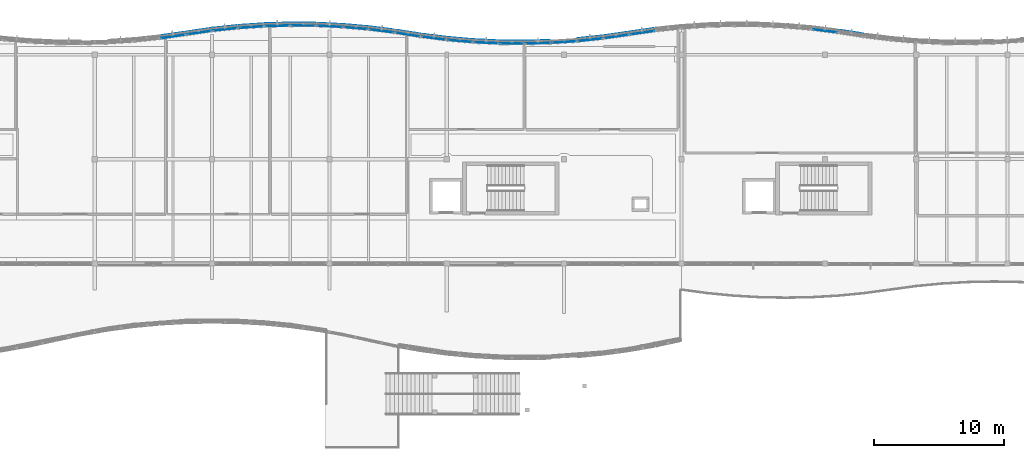
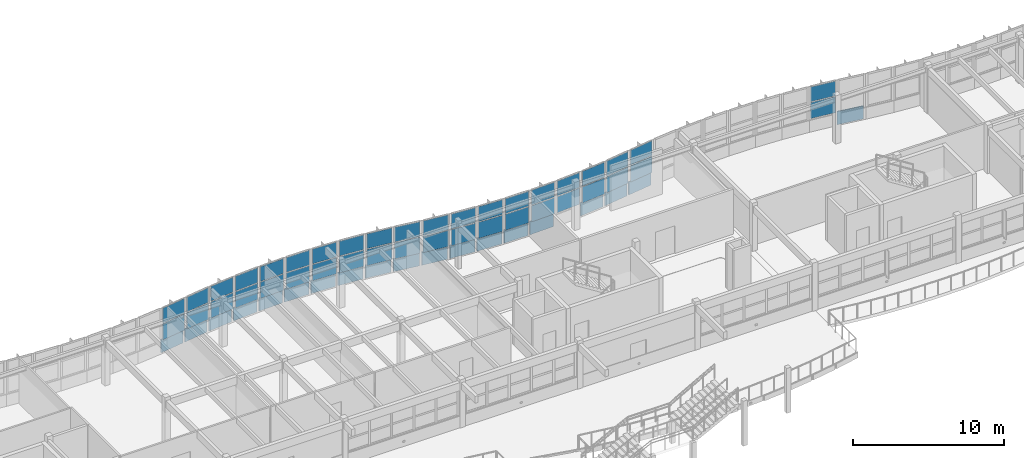
# One storey, part 25 of 52: 59 plates, 20 elements without a shape of their own.
"""IFC4 building model written with IfcOpenShell, lengths in metres."""

from ifc_helpers import new_model, si_unit, direction, frame, origin, origin_2d, place, context, subcontext, project, spatial, rectangle, extrude, material, layer, layer_set, type_object, element, aggregate, save


model = new_model("IFC4")

# Units and contexts
model_context = context("Model", 3, precision=1e-05, world=origin(), true_north=direction((0.0, 1.0)))
body_context = subcontext(model_context, "Body", "Model", "MODEL_VIEW")
ifc_project = project(units=[si_unit("LENGTHUNIT", "METRE"), si_unit("AREAUNIT", "SQUARE_METRE"), si_unit("VOLUMEUNIT", "CUBIC_METRE"), si_unit("PLANEANGLEUNIT", "RADIAN"), si_unit("MASSUNIT", "GRAM", prefix="KILO")], contexts=[model_context])

# Site, building, storey
site_placement = place(None, origin())
site = spatial("IfcSite", under=ifc_project, at=site_placement, CompositionType="ELEMENT")
building_placement = place(site_placement, origin())
building = spatial("IfcBuilding", under=site, at=building_placement, Name="Tonlespit Floodbar School", CompositionType="ELEMENT")
storey_placement = place(building_placement, frame((0.0, 0.0, 12.300048828125)))
storey = spatial("IfcBuildingStorey", under=building, at=storey_placement, Name="L03", CompositionType="ELEMENT", Elevation=12.300048828125)

# Curtain wall, plates
ifc_material_1 = material(Name="Anodised Aluminium", Category="aluminium")
ifc_layer_1 = layer(ifc_material_1, 0.159912109375)
ifc_layer_set_1 = layer_set([ifc_layer_1], Name="Anodised Aluminium")
curtain_wall_type_1 = type_object("IfcCurtainWallType", Name="CurtainWall_1950x2700", PredefinedType="NOTDEFINED", material=ifc_layer_set_1)
curtain_wall_1_placement = place(storey_placement, origin())
curtain_wall_1 = element("IfcCurtainWall", 1, at=curtain_wall_1_placement, inside=storey, type_object=curtain_wall_type_1, Name="L03 unitised curtain wall 0141", PredefinedType="NOTDEFINED")
ifc_material_2 = material(Name="Laminated Low-E Glass", Category="glass")
ifc_layer_2 = layer(ifc_material_2, 0.028076171875)
ifc_layer_set_2 = layer_set([ifc_layer_2], Name="Laminated Low-E Glass")
plate_type_1 = type_object("IfcPlateType", Name="CW_Panel_Glaz_28", PredefinedType="CURTAIN_PANEL", material=ifc_layer_set_2)
plate_1_placement = place(storey_placement, frame((79.0, 121.69580078125, 1.01513671875), z_axis=(0.0, 0.0, 1.0), x_axis=(0.989541561858, 0.144248041079, 0.0)))
plate_1 = element("IfcPlate", 2, at=plate_1_placement, type_object=plate_type_1, Name="CW-04 panel 1.1", PredefinedType="CURTAIN_PANEL", context=body_context, shape_type="SweptSolid", body=[
    extrude(rectangle(XDim=1.81103515625, YDim=0.028076171875, at=origin_2d()), origin(), (0.0, 0.0, 1.0), 1.306396484375),
])
plate_2_placement = place(storey_placement, frame((79.0, 121.69580078125, 2.38623046875), z_axis=(0.0, 0.0, 1.0), x_axis=(0.989541561858, 0.144248041079, 0.0)))
plate_2 = element("IfcPlate", 3, at=plate_2_placement, type_object=plate_type_1, Name="CW-04 panel 1.2", PredefinedType="CURTAIN_PANEL", context=body_context, shape_type="SweptSolid", body=[
    extrude(rectangle(XDim=1.81103515625, YDim=0.028076171875, at=origin_2d()), origin(), (0.0, 0.0, 1.0), 1.198486328125),
])
aggregate(curtain_wall_1, [plate_1, plate_2])

ifc_layer_3 = layer(ifc_material_1, 0.159912109375)
ifc_layer_set_3 = layer_set([ifc_layer_3], Name="Anodised Aluminium")
curtain_wall_type_2 = type_object("IfcCurtainWallType", Name="CurtainWall_1900x2700", PredefinedType="NOTDEFINED", material=ifc_layer_set_3)
curtain_wall_2_placement = place(storey_placement, origin())
curtain_wall_2 = element("IfcCurtainWall", 4, at=curtain_wall_2_placement, inside=storey, type_object=curtain_wall_type_2, Name="L03 unitised curtain wall 0145", PredefinedType="NOTDEFINED")
plate_3_placement = place(storey_placement, frame((87.0, 122.2373046875, 1.01513671875), z_axis=(0.0, 0.0, 1.0), x_axis=(0.999954083024, -0.009582893292, 0.0)))
plate_3 = element("IfcPlate", 5, at=plate_3_placement, type_object=plate_type_1, Name="CW-05 panel 1.1", PredefinedType="CURTAIN_PANEL", context=body_context, shape_type="SweptSolid", body=[
    extrude(rectangle(XDim=1.7900390625, YDim=0.028076171875, at=origin_2d()), origin(), (0.0, 0.0, 1.0), 1.306396484375),
])
plate_4_placement = place(storey_placement, frame((87.0, 122.2373046875, 2.38623046875), z_axis=(0.0, 0.0, 1.0), x_axis=(0.999954083024, -0.009582893292, 0.0)))
plate_4 = element("IfcPlate", 6, at=plate_4_placement, type_object=plate_type_1, Name="CW-05 panel 1.2", PredefinedType="CURTAIN_PANEL", context=body_context, shape_type="SweptSolid", body=[
    extrude(rectangle(XDim=1.7900390625, YDim=0.028076171875, at=origin_2d()), origin(), (0.0, 0.0, 1.0), 1.198486328125),
])
aggregate(curtain_wall_2, [plate_3, plate_4])

curtain_wall_3_placement = place(storey_placement, origin())
curtain_wall_3 = element("IfcCurtainWall", 7, at=curtain_wall_3_placement, inside=storey, type_object=curtain_wall_type_1, Name="L03 unitised curtain wall 0149", PredefinedType="NOTDEFINED")
plate_5_placement = place(storey_placement, frame((95.0, 121.550048828125, 1.01513671875), z_axis=(0.0, 0.0, 1.0), x_axis=(0.988102576465, -0.153796288585, 0.0)))
plate_5 = element("IfcPlate", 8, at=plate_5_placement, type_object=plate_type_1, Name="CW-04 panel 1.1", PredefinedType="CURTAIN_PANEL", context=body_context, shape_type="SweptSolid", body=[
    extrude(rectangle(XDim=1.814208984375, YDim=0.028076171875, at=origin_2d()), origin(), (0.0, 0.0, 1.0), 1.306396484375),
])
plate_6_placement = place(storey_placement, frame((95.0, 121.550048828125, 2.38623046875), z_axis=(0.0, 0.0, 1.0), x_axis=(0.988102576465, -0.153796288585, 0.0)))
plate_6 = element("IfcPlate", 9, at=plate_6_placement, type_object=plate_type_1, Name="CW-04 panel 1.2", PredefinedType="CURTAIN_PANEL", context=body_context, shape_type="SweptSolid", body=[
    extrude(rectangle(XDim=1.814208984375, YDim=0.028076171875, at=origin_2d()), origin(), (0.0, 0.0, 1.0), 1.198486328125),
])
aggregate(curtain_wall_3, [plate_5, plate_6])

curtain_wall_4_placement = place(storey_placement, origin())
curtain_wall_4 = element("IfcCurtainWall", 10, at=curtain_wall_4_placement, inside=storey, type_object=curtain_wall_type_2, Name="L03 unitised curtain wall 0153", PredefinedType="NOTDEFINED")
plate_7_placement = place(storey_placement, frame((103.0, 120.862548828125, 1.01513671875), z_axis=(0.0, 0.0, 1.0), x_axis=(0.999954083024, -0.009582893292, 0.0)))
plate_7 = element("IfcPlate", 11, at=plate_7_placement, type_object=plate_type_1, Name="CW-05 panel 1.1", PredefinedType="CURTAIN_PANEL", context=body_context, shape_type="SweptSolid", body=[
    extrude(rectangle(XDim=1.7900390625, YDim=0.028076171875, at=origin_2d()), origin(), (0.0, 0.0, 1.0), 1.306396484375),
])
plate_8_placement = place(storey_placement, frame((103.0, 120.862548828125, 2.38623046875), z_axis=(0.0, 0.0, 1.0), x_axis=(0.999954083024, -0.009582893292, 0.0)))
plate_8 = element("IfcPlate", 12, at=plate_8_placement, type_object=plate_type_1, Name="CW-05 panel 1.2", PredefinedType="CURTAIN_PANEL", context=body_context, shape_type="SweptSolid", body=[
    extrude(rectangle(XDim=1.7900390625, YDim=0.028076171875, at=origin_2d()), origin(), (0.0, 0.0, 1.0), 1.198486328125),
])
aggregate(curtain_wall_4, [plate_7, plate_8])

curtain_wall_5_placement = place(storey_placement, origin())
curtain_wall_5 = element("IfcCurtainWall", 13, at=curtain_wall_5_placement, inside=storey, type_object=curtain_wall_type_1, Name="L03 unitised curtain wall 0157", PredefinedType="NOTDEFINED")
plate_9_placement = place(storey_placement, frame((111.0, 121.404296875, 1.01513671875), z_axis=(0.0, 0.0, 1.0), x_axis=(0.989541561858, 0.144248041079, 0.0)))
plate_9 = element("IfcPlate", 14, at=plate_9_placement, type_object=plate_type_1, Name="CW-04 panel 1.1", PredefinedType="CURTAIN_PANEL", context=body_context, shape_type="SweptSolid", body=[
    extrude(rectangle(XDim=1.81103515625, YDim=0.028076171875, at=origin_2d()), origin(), (0.0, 0.0, 1.0), 1.306396484375),
])
plate_10_placement = place(storey_placement, frame((111.0, 121.404296875, 2.38623046875), z_axis=(0.0, 0.0, 1.0), x_axis=(0.989541561858, 0.144248041079, 0.0)))
plate_10 = element("IfcPlate", 15, at=plate_10_placement, type_object=plate_type_1, Name="CW-04 panel 1.2", PredefinedType="CURTAIN_PANEL", context=body_context, shape_type="SweptSolid", body=[
    extrude(rectangle(XDim=1.81103515625, YDim=0.028076171875, at=origin_2d()), origin(), (0.0, 0.0, 1.0), 1.198486328125),
])
aggregate(curtain_wall_5, [plate_9, plate_10])

curtain_wall_6_placement = place(storey_placement, origin())
curtain_wall_6 = element("IfcCurtainWall", 16, at=curtain_wall_6_placement, inside=storey, type_object=curtain_wall_type_1, Name="L03 unitised curtain wall 0142", PredefinedType="NOTDEFINED")
ifc_layer_4 = layer(ifc_material_2, 0.031982421875)
ifc_layer_set_4 = layer_set([ifc_layer_4], Name="Laminated Low-E Glass")
plate_type_2 = type_object("IfcPlateType", Name="CW_Panel_Glaz_32", PredefinedType="CURTAIN_PANEL", material=ifc_layer_set_4)
plate_11_placement = place(storey_placement, frame((81.0, 121.947998046875, 1.01513671875), z_axis=(0.0, 0.0, 1.0), x_axis=(0.994388797288, 0.105787143968, 0.0)))
plate_11 = element("IfcPlate", 17, at=plate_11_placement, type_object=plate_type_2, Name="CW-04 panel 1.1", PredefinedType="CURTAIN_PANEL", context=body_context, shape_type="SweptSolid", body=[
    extrude(rectangle(XDim=1.80126953125, YDim=0.031982421875, at=origin_2d()), origin(), (0.0, 0.0, 1.0), 1.306396484375),
])
plate_12_placement = place(storey_placement, frame((81.0, 121.947998046875, 2.38623046875), z_axis=(0.0, 0.0, 1.0), x_axis=(0.994388797288, 0.105787143968, 0.0)))
plate_12 = element("IfcPlate", 18, at=plate_12_placement, type_object=plate_type_2, Name="CW-04 panel 1.2", PredefinedType="CURTAIN_PANEL", context=body_context, shape_type="SweptSolid", body=[
    extrude(rectangle(XDim=1.80126953125, YDim=0.031982421875, at=origin_2d()), origin(), (0.0, 0.0, 1.0), 1.198486328125),
])
aggregate(curtain_wall_6, [plate_11, plate_12])

curtain_wall_7_placement = place(storey_placement, origin())
curtain_wall_7 = element("IfcCurtainWall", 19, at=curtain_wall_7_placement, inside=storey, type_object=curtain_wall_type_2, Name="L03 unitised curtain wall 0146", PredefinedType="NOTDEFINED")
plate_13_placement = place(storey_placement, frame((89.0, 122.1796875, 1.01513671875), z_axis=(0.0, 0.0, 1.0), x_axis=(0.998841500616, -0.048121270216, 0.0)))
plate_13 = element("IfcPlate", 20, at=plate_13_placement, type_object=plate_type_2, Name="CW-05 panel 1.1", PredefinedType="CURTAIN_PANEL", context=body_context, shape_type="SweptSolid", body=[
    extrude(rectangle(XDim=1.792236328125, YDim=0.031982421875, at=origin_2d()), origin(), (0.0, 0.0, 1.0), 1.306396484375),
])
plate_14_placement = place(storey_placement, frame((89.0, 122.1796875, 2.38623046875), z_axis=(0.0, 0.0, 1.0), x_axis=(0.998841500616, -0.048121270216, 0.0)))
plate_14 = element("IfcPlate", 21, at=plate_14_placement, type_object=plate_type_2, Name="CW-05 panel 1.2", PredefinedType="CURTAIN_PANEL", context=body_context, shape_type="SweptSolid", body=[
    extrude(rectangle(XDim=1.792236328125, YDim=0.031982421875, at=origin_2d()), origin(), (0.0, 0.0, 1.0), 1.198486328125),
])
aggregate(curtain_wall_7, [plate_13, plate_14])

curtain_wall_8_placement = place(storey_placement, origin())
curtain_wall_8 = element("IfcCurtainWall", 22, at=curtain_wall_8_placement, inside=storey, type_object=curtain_wall_type_1, Name="L03 unitised curtain wall 0150", PredefinedType="NOTDEFINED")
plate_15_placement = place(storey_placement, frame((97.0, 121.268310546875, 1.01513671875), z_axis=(0.0, 0.0, 1.0), x_axis=(0.992155002499, -0.125013803299, 0.0)))
plate_15 = element("IfcPlate", 23, at=plate_15_placement, type_object=plate_type_2, Name="CW-04 panel 1.1", PredefinedType="CURTAIN_PANEL", context=body_context, shape_type="SweptSolid", body=[
    extrude(rectangle(XDim=1.805908203125, YDim=0.031982421875, at=origin_2d()), origin(), (0.0, 0.0, 1.0), 1.306396484375),
])
plate_16_placement = place(storey_placement, frame((97.0, 121.268310546875, 2.38623046875), z_axis=(0.0, 0.0, 1.0), x_axis=(0.992155002499, -0.125013803299, 0.0)))
plate_16 = element("IfcPlate", 24, at=plate_16_placement, type_object=plate_type_2, Name="CW-04 panel 1.2", PredefinedType="CURTAIN_PANEL", context=body_context, shape_type="SweptSolid", body=[
    extrude(rectangle(XDim=1.805908203125, YDim=0.031982421875, at=origin_2d()), origin(), (0.0, 0.0, 1.0), 1.198486328125),
])
aggregate(curtain_wall_8, [plate_15, plate_16])

curtain_wall_9_placement = place(storey_placement, origin())
curtain_wall_9 = element("IfcCurtainWall", 25, at=curtain_wall_9_placement, inside=storey, type_object=curtain_wall_type_2, Name="L03 unitised curtain wall 0154", PredefinedType="NOTDEFINED")
plate_17_placement = place(storey_placement, frame((105.0, 120.8818359375, 1.01513671875), z_axis=(0.0, 0.0, 1.0), x_axis=(0.999585477883, 0.028790144226, 0.0)))
plate_17 = element("IfcPlate", 26, at=plate_17_placement, type_object=plate_type_2, Name="CW-05 panel 1.1", PredefinedType="CURTAIN_PANEL", context=body_context, shape_type="SweptSolid", body=[
    extrude(rectangle(XDim=1.790771484375, YDim=0.031982421875, at=origin_2d()), origin(), (0.0, 0.0, 1.0), 1.306396484375),
])
plate_18_placement = place(storey_placement, frame((105.0, 120.8818359375, 2.38623046875), z_axis=(0.0, 0.0, 1.0), x_axis=(0.999585477883, 0.028790144226, 0.0)))
plate_18 = element("IfcPlate", 27, at=plate_18_placement, type_object=plate_type_2, Name="CW-05 panel 1.2", PredefinedType="CURTAIN_PANEL", context=body_context, shape_type="SweptSolid", body=[
    extrude(rectangle(XDim=1.790771484375, YDim=0.031982421875, at=origin_2d()), origin(), (0.0, 0.0, 1.0), 1.198486328125),
])
aggregate(curtain_wall_9, [plate_17, plate_18])

curtain_wall_10_placement = place(storey_placement, origin())
curtain_wall_10 = element("IfcCurtainWall", 28, at=curtain_wall_10_placement, inside=storey, type_object=curtain_wall_type_1, Name="L03 unitised curtain wall 0158", PredefinedType="NOTDEFINED")
plate_19_placement = place(storey_placement, frame((113.0, 121.69580078125, 1.01513671875), z_axis=(0.0, 0.0, 1.0), x_axis=(0.989541561858, 0.144248041079, 0.0)))
plate_19 = element("IfcPlate", 29, at=plate_19_placement, type_object=plate_type_2, Name="CW-04 panel 1.1", PredefinedType="CURTAIN_PANEL", context=body_context, shape_type="SweptSolid", body=[
    extrude(rectangle(XDim=1.81103515625, YDim=0.031982421875, at=origin_2d()), origin(), (0.0, 0.0, 1.0), 1.306396484375),
])
plate_20_placement = place(storey_placement, frame((113.0, 121.69580078125, 2.38623046875), z_axis=(0.0, 0.0, 1.0), x_axis=(0.989541561858, 0.144248041079, 0.0)))
plate_20 = element("IfcPlate", 30, at=plate_20_placement, type_object=plate_type_2, Name="CW-04 panel 1.2", PredefinedType="CURTAIN_PANEL", context=body_context, shape_type="SweptSolid", body=[
    extrude(rectangle(XDim=1.81103515625, YDim=0.031982421875, at=origin_2d()), origin(), (0.0, 0.0, 1.0), 1.198486328125),
])
aggregate(curtain_wall_10, [plate_19, plate_20])

curtain_wall_11_placement = place(storey_placement, origin())
curtain_wall_11 = element("IfcCurtainWall", 31, at=curtain_wall_11_placement, inside=storey, type_object=curtain_wall_type_2, Name="L03 unitised curtain wall 0143", PredefinedType="NOTDEFINED")
ifc_layer_5 = layer(ifc_material_2, 0.035888671875)
ifc_layer_set_5 = layer_set([ifc_layer_5], Name="Laminated Low-E Glass")
plate_type_3 = type_object("IfcPlateType", Name="CW_Panel_Glaz_36", PredefinedType="CURTAIN_PANEL", material=ifc_layer_set_5)
plate_21_placement = place(storey_placement, frame((83.0, 122.121826171875, 1.01513671875), z_axis=(0.0, 0.0, 1.0), x_axis=(0.99773010165, 0.067339767311, 0.0)))
plate_21 = element("IfcPlate", 32, at=plate_21_placement, type_object=plate_type_3, Name="CW-05 panel 1.1", PredefinedType="CURTAIN_PANEL", context=body_context, shape_type="SweptSolid", body=[
    extrude(rectangle(XDim=1.794677734375, YDim=0.035888671875, at=origin_2d()), origin(), (0.0, 0.0, 1.0), 1.306396484375),
])
plate_22_placement = place(storey_placement, frame((83.0, 122.121826171875, 2.38623046875), z_axis=(0.0, 0.0, 1.0), x_axis=(0.99773010165, 0.067339767311, 0.0)))
plate_22 = element("IfcPlate", 33, at=plate_22_placement, type_object=plate_type_3, Name="CW-05 panel 1.2", PredefinedType="CURTAIN_PANEL", context=body_context, shape_type="SweptSolid", body=[
    extrude(rectangle(XDim=1.794677734375, YDim=0.035888671875, at=origin_2d()), origin(), (0.0, 0.0, 1.0), 1.198486328125),
])
aggregate(curtain_wall_11, [plate_21, plate_22])

curtain_wall_12_placement = place(storey_placement, origin())
curtain_wall_12 = element("IfcCurtainWall", 34, at=curtain_wall_12_placement, inside=storey, type_object=curtain_wall_type_1, Name="L03 unitised curtain wall 0147", PredefinedType="NOTDEFINED")
plate_23_placement = place(storey_placement, frame((91.0, 122.044677734375, 1.01513671875), z_axis=(0.0, 0.0, 1.0), x_axis=(0.996249148412, -0.086531117454, 0.0)))
plate_23 = element("IfcPlate", 35, at=plate_23_placement, type_object=plate_type_3, Name="CW-04 panel 1.1", PredefinedType="CURTAIN_PANEL", context=body_context, shape_type="SweptSolid", body=[
    extrude(rectangle(XDim=1.797607421875, YDim=0.035888671875, at=origin_2d()), origin(), (0.0, 0.0, 1.0), 1.306396484375),
])
plate_24_placement = place(storey_placement, frame((91.0, 122.044677734375, 2.38623046875), z_axis=(0.0, 0.0, 1.0), x_axis=(0.996249148412, -0.086531117454, 0.0)))
plate_24 = element("IfcPlate", 36, at=plate_24_placement, type_object=plate_type_3, Name="CW-04 panel 1.2", PredefinedType="CURTAIN_PANEL", context=body_context, shape_type="SweptSolid", body=[
    extrude(rectangle(XDim=1.797607421875, YDim=0.035888671875, at=origin_2d()), origin(), (0.0, 0.0, 1.0), 1.198486328125),
])
aggregate(curtain_wall_12, [plate_23, plate_24])

curtain_wall_13_placement = place(storey_placement, origin())
curtain_wall_13 = element("IfcCurtainWall", 37, at=curtain_wall_13_placement, inside=storey, type_object=curtain_wall_type_1, Name="L03 unitised curtain wall 0151", PredefinedType="NOTDEFINED")
plate_25_placement = place(storey_placement, frame((99.0, 121.055419921875, 1.01513671875), z_axis=(0.0, 0.0, 1.0), x_axis=(0.996249148412, -0.086531117454, 0.0)))
plate_25 = element("IfcPlate", 38, at=plate_25_placement, type_object=plate_type_3, Name="CW-04 panel 1.1", PredefinedType="CURTAIN_PANEL", context=body_context, shape_type="SweptSolid", body=[
    extrude(rectangle(XDim=1.797607421875, YDim=0.035888671875, at=origin_2d()), origin(), (0.0, 0.0, 1.0), 1.306396484375),
])
plate_26_placement = place(storey_placement, frame((99.0, 121.055419921875, 2.38623046875), z_axis=(0.0, 0.0, 1.0), x_axis=(0.996249148412, -0.086531117454, 0.0)))
plate_26 = element("IfcPlate", 39, at=plate_26_placement, type_object=plate_type_3, Name="CW-04 panel 1.2", PredefinedType="CURTAIN_PANEL", context=body_context, shape_type="SweptSolid", body=[
    extrude(rectangle(XDim=1.797607421875, YDim=0.035888671875, at=origin_2d()), origin(), (0.0, 0.0, 1.0), 1.198486328125),
])
aggregate(curtain_wall_13, [plate_25, plate_26])

curtain_wall_14_placement = place(storey_placement, origin())
curtain_wall_14 = element("IfcCurtainWall", 40, at=curtain_wall_14_placement, inside=storey, type_object=curtain_wall_type_2, Name="L03 unitised curtain wall 0155", PredefinedType="NOTDEFINED")
plate_27_placement = place(storey_placement, frame((107.0, 120.978271484375, 1.01513671875), z_axis=(0.0, 0.0, 1.0), x_axis=(0.99773010165, 0.067339767311, 0.0)))
plate_27 = element("IfcPlate", 41, at=plate_27_placement, type_object=plate_type_3, Name="CW-05 panel 1.1", PredefinedType="CURTAIN_PANEL", context=body_context, shape_type="SweptSolid", body=[
    extrude(rectangle(XDim=1.794677734375, YDim=0.035888671875, at=origin_2d()), origin(), (0.0, 0.0, 1.0), 1.306396484375),
])
plate_28_placement = place(storey_placement, frame((107.0, 120.978271484375, 2.38623046875), z_axis=(0.0, 0.0, 1.0), x_axis=(0.99773010165, 0.067339767311, 0.0)))
plate_28 = element("IfcPlate", 42, at=plate_28_placement, type_object=plate_type_3, Name="CW-05 panel 1.2", PredefinedType="CURTAIN_PANEL", context=body_context, shape_type="SweptSolid", body=[
    extrude(rectangle(XDim=1.794677734375, YDim=0.035888671875, at=origin_2d()), origin(), (0.0, 0.0, 1.0), 1.198486328125),
])
aggregate(curtain_wall_14, [plate_27, plate_28])

curtain_wall_15_placement = place(storey_placement, origin())
curtain_wall_15 = element("IfcCurtainWall", 43, at=curtain_wall_15_placement, inside=storey, type_object=curtain_wall_type_1, Name="L03 unitised curtain wall 0451", PredefinedType="NOTDEFINED")
plate_29_placement = place(storey_placement, frame((127.0, 121.831787109375, 1.01513671875), z_axis=(0.0, 0.0, 1.0), x_axis=(0.992155002499, -0.125013803299, 0.0)))
plate_29 = element("IfcPlate", 44, at=plate_29_placement, type_object=plate_type_3, Name="CW-04 panel 1.1", PredefinedType="CURTAIN_PANEL", context=body_context, shape_type="SweptSolid", body=[
    extrude(rectangle(XDim=1.805908203125, YDim=0.035888671875, at=origin_2d()), origin(), (0.0, 0.0, 1.0), 1.306396484375),
])
plate_30_placement = place(storey_placement, frame((127.0, 121.831787109375, 2.38623046875), z_axis=(0.0, 0.0, 1.0), x_axis=(0.992155002499, -0.125013803299, 0.0)))
plate_30 = element("IfcPlate", 45, at=plate_30_placement, type_object=plate_type_3, Name="CW-04 panel 1.2", PredefinedType="CURTAIN_PANEL", context=body_context, shape_type="SweptSolid", body=[
    extrude(rectangle(XDim=1.805908203125, YDim=0.035888671875, at=origin_2d()), origin(), (0.0, 0.0, 1.0), 1.198486328125),
])
aggregate(curtain_wall_15, [plate_29, plate_30])

curtain_wall_16_placement = place(storey_placement, origin())
curtain_wall_16 = element("IfcCurtainWall", 46, at=curtain_wall_16_placement, inside=storey, type_object=curtain_wall_type_1, Name="L03 unitised curtain wall 0140", PredefinedType="NOTDEFINED")
ifc_layer_6 = layer(ifc_material_2, 0.0419921875)
ifc_layer_set_6 = layer_set([ifc_layer_6], Name="Laminated Low-E Glass")
plate_type_4 = type_object("IfcPlateType", Name="CW_Panel_Glaz_42", PredefinedType="CURTAIN_PANEL", material=ifc_layer_set_6)
plate_31_placement = place(storey_placement, frame((77.0, 121.404296875, 1.01513671875), z_axis=(0.0, 0.0, 1.0), x_axis=(0.989541561858, 0.144248041079, 0.0)))
plate_31 = element("IfcPlate", 47, at=plate_31_placement, type_object=plate_type_4, Name="CW-04 panel 1.1", PredefinedType="CURTAIN_PANEL", context=body_context, shape_type="SweptSolid", body=[
    extrude(rectangle(XDim=1.81103515625, YDim=0.0419921875, at=origin_2d()), origin(), (0.0, 0.0, 1.0), 1.306396484375),
])
plate_32_placement = place(storey_placement, frame((77.0, 121.404296875, 2.38623046875), z_axis=(0.0, 0.0, 1.0), x_axis=(0.989541561858, 0.144248041079, 0.0)))
plate_32 = element("IfcPlate", 48, at=plate_32_placement, type_object=plate_type_4, Name="CW-04 panel 1.2", PredefinedType="CURTAIN_PANEL", context=body_context, shape_type="SweptSolid", body=[
    extrude(rectangle(XDim=1.81103515625, YDim=0.0419921875, at=origin_2d()), origin(), (0.0, 0.0, 1.0), 1.198486328125),
])
aggregate(curtain_wall_16, [plate_31, plate_32])

curtain_wall_17_placement = place(storey_placement, origin())
curtain_wall_17 = element("IfcCurtainWall", 49, at=curtain_wall_17_placement, inside=storey, type_object=curtain_wall_type_2, Name="L03 unitised curtain wall 0144", PredefinedType="NOTDEFINED")
plate_33_placement = place(storey_placement, frame((85.0, 122.21826171875, 1.01513671875), z_axis=(0.0, 0.0, 1.0), x_axis=(0.999585477883, 0.028790144226, 0.0)))
plate_33 = element("IfcPlate", 50, at=plate_33_placement, type_object=plate_type_4, Name="CW-05 panel 1.1", PredefinedType="CURTAIN_PANEL", context=body_context, shape_type="SweptSolid", body=[
    extrude(rectangle(XDim=1.790771484375, YDim=0.0419921875, at=origin_2d()), origin(), (0.0, 0.0, 1.0), 1.306396484375),
])
plate_34_placement = place(storey_placement, frame((85.0, 122.21826171875, 2.38623046875), z_axis=(0.0, 0.0, 1.0), x_axis=(0.999585477883, 0.028790144226, 0.0)))
plate_34 = element("IfcPlate", 51, at=plate_34_placement, type_object=plate_type_4, Name="CW-05 panel 1.2", PredefinedType="CURTAIN_PANEL", context=body_context, shape_type="SweptSolid", body=[
    extrude(rectangle(XDim=1.790771484375, YDim=0.0419921875, at=origin_2d()), origin(), (0.0, 0.0, 1.0), 1.198486328125),
])
aggregate(curtain_wall_17, [plate_33, plate_34])

curtain_wall_18_placement = place(storey_placement, origin())
curtain_wall_18 = element("IfcCurtainWall", 52, at=curtain_wall_18_placement, inside=storey, type_object=curtain_wall_type_1, Name="L03 unitised curtain wall 0148", PredefinedType="NOTDEFINED")
plate_35_placement = place(storey_placement, frame((93.0, 121.831787109375, 1.01513671875), z_axis=(0.0, 0.0, 1.0), x_axis=(0.992155002499, -0.125013803299, 0.0)))
plate_35 = element("IfcPlate", 53, at=plate_35_placement, type_object=plate_type_4, Name="CW-04 panel 1.1", PredefinedType="CURTAIN_PANEL", context=body_context, shape_type="SweptSolid", body=[
    extrude(rectangle(XDim=1.805908203125, YDim=0.0419921875, at=origin_2d()), origin(), (0.0, 0.0, 1.0), 1.306396484375),
])
plate_36_placement = place(storey_placement, frame((93.0, 121.831787109375, 2.38623046875), z_axis=(0.0, 0.0, 1.0), x_axis=(0.992155002499, -0.125013803299, 0.0)))
plate_36 = element("IfcPlate", 54, at=plate_36_placement, type_object=plate_type_4, Name="CW-04 panel 1.2", PredefinedType="CURTAIN_PANEL", context=body_context, shape_type="SweptSolid", body=[
    extrude(rectangle(XDim=1.805908203125, YDim=0.0419921875, at=origin_2d()), origin(), (0.0, 0.0, 1.0), 1.198486328125),
])
aggregate(curtain_wall_18, [plate_35, plate_36])

curtain_wall_19_placement = place(storey_placement, origin())
curtain_wall_19 = element("IfcCurtainWall", 55, at=curtain_wall_19_placement, inside=storey, type_object=curtain_wall_type_2, Name="L03 unitised curtain wall 0152", PredefinedType="NOTDEFINED")
plate_37_placement = place(storey_placement, frame((101.0, 120.92041015625, 1.01513671875), z_axis=(0.0, 0.0, 1.0), x_axis=(0.998841500616, -0.048121270216, 0.0)))
plate_37 = element("IfcPlate", 56, at=plate_37_placement, type_object=plate_type_4, Name="CW-05 panel 1.1", PredefinedType="CURTAIN_PANEL", context=body_context, shape_type="SweptSolid", body=[
    extrude(rectangle(XDim=1.792236328125, YDim=0.0419921875, at=origin_2d()), origin(), (0.0, 0.0, 1.0), 1.306396484375),
])
plate_38_placement = place(storey_placement, frame((101.0, 120.92041015625, 2.38623046875), z_axis=(0.0, 0.0, 1.0), x_axis=(0.998841500616, -0.048121270216, 0.0)))
plate_38 = element("IfcPlate", 57, at=plate_38_placement, type_object=plate_type_4, Name="CW-05 panel 1.2", PredefinedType="CURTAIN_PANEL", context=body_context, shape_type="SweptSolid", body=[
    extrude(rectangle(XDim=1.792236328125, YDim=0.0419921875, at=origin_2d()), origin(), (0.0, 0.0, 1.0), 1.198486328125),
])
aggregate(curtain_wall_19, [plate_37, plate_38])

curtain_wall_20_placement = place(storey_placement, origin())
curtain_wall_20 = element("IfcCurtainWall", 58, at=curtain_wall_20_placement, inside=storey, type_object=curtain_wall_type_1, Name="L03 unitised curtain wall 0156", PredefinedType="NOTDEFINED")
plate_39_placement = place(storey_placement, frame((109.0, 121.152099609375, 1.01513671875), z_axis=(0.0, 0.0, 1.0), x_axis=(0.994388797288, 0.105787143968, 0.0)))
plate_39 = element("IfcPlate", 59, at=plate_39_placement, type_object=plate_type_4, Name="CW-04 panel 1.1", PredefinedType="CURTAIN_PANEL", context=body_context, shape_type="SweptSolid", body=[
    extrude(rectangle(XDim=1.80126953125, YDim=0.0419921875, at=origin_2d()), origin(), (0.0, 0.0, 1.0), 1.306396484375),
])
plate_40_placement = place(storey_placement, frame((109.0, 121.152099609375, 2.38623046875), z_axis=(0.0, 0.0, 1.0), x_axis=(0.994388797288, 0.105787143968, 0.0)))
plate_40 = element("IfcPlate", 60, at=plate_40_placement, type_object=plate_type_4, Name="CW-04 panel 1.2", PredefinedType="CURTAIN_PANEL", context=body_context, shape_type="SweptSolid", body=[
    extrude(rectangle(XDim=1.80126953125, YDim=0.0419921875, at=origin_2d()), origin(), (0.0, 0.0, 1.0), 1.198486328125),
])
aggregate(curtain_wall_20, [plate_39, plate_40])

# Plates
ifc_material_3 = material(Name="White Architectural Aluminium", Category="aluminium")
ifc_layer_7 = layer(ifc_material_3, 0.06494140625)
ifc_layer_set_7 = layer_set([ifc_layer_7], Name="White Architectural Aluminium")
plate_type_5 = type_object("IfcPlateType", Name="FacadeRibbon_White_65", PredefinedType="SHEET", material=ifc_layer_set_7)
for number, where, z_axis, x_axis, name in (
    (61, (76.9736328125, 121.584228515625, -0.1201171875), (0.0, 0.0, 1.0), (0.989537627347, 0.144275029245, 0.0), "L03 flowing white street spandrel ribbon 0230"),
    (62, (78.9736328125, 121.8759765625, -0.1201171875), (0.0, 0.0, 1.0), (0.989537627347, 0.144275029245, 0.0), "L03 flowing white street spandrel ribbon 0231"),
):
    element("IfcPlate", number, at=place(storey_placement, frame(where, z_axis=z_axis, x_axis=x_axis)), inside=storey, type_object=plate_type_5, Name=name, PredefinedType="SHEET", context=body_context, shape_type="SweptSolid", body=[
        extrude(rectangle(XDim=1.861083984375, YDim=0.06494140625, at=origin_2d()), origin(), (0.0, 0.0, 1.0), 1.070068359375),
    ])
plate_41_placement = place(storey_placement, frame((80.980712890625, 122.12890625, -0.1201171875), z_axis=(0.0, 0.0, 1.0), x_axis=(0.99439234017, 0.105753835922, 0.0)))
element("IfcPlate", 63, at=plate_41_placement, inside=storey, type_object=plate_type_5, Name="L03 flowing white street spandrel ribbon 0232", PredefinedType="SHEET", context=body_context, shape_type="SweptSolid", body=[
    extrude(rectangle(XDim=1.851318359375, YDim=0.06494140625, at=origin_2d()), origin(), (0.0, 0.0, 1.0), 1.070068359375),
])
plate_42_placement = place(storey_placement, frame((82.98779296875, 122.303466796875, -0.1201171875), z_axis=(0.0, 0.0, 1.0), x_axis=(0.997729639049, 0.067346621018, 0.0)))
element("IfcPlate", 64, at=plate_42_placement, inside=storey, type_object=plate_type_5, Name="L03 flowing white street spandrel ribbon 0233", PredefinedType="SHEET", context=body_context, shape_type="SweptSolid", body=[
    extrude(rectangle(XDim=1.844482421875, YDim=0.06494140625, at=origin_2d()), origin(), (0.0, 0.0, 1.0), 1.070068359375),
])
plate_43_placement = place(storey_placement, frame((84.994873046875, 122.400146484375, -0.1201171875), z_axis=(0.0, 0.0, 1.0), x_axis=(0.999584110869, 0.02883756748, 0.0)))
element("IfcPlate", 65, at=plate_43_placement, inside=storey, type_object=plate_type_5, Name="L03 flowing white street spandrel ribbon 0234", PredefinedType="SHEET", context=body_context, shape_type="SweptSolid", body=[
    extrude(rectangle(XDim=1.8408203125, YDim=0.06494140625, at=origin_2d()), origin(), (0.0, 0.0, 1.0), 1.070068359375),
])
plate_44_placement = place(storey_placement, frame((87.001708984375, 122.41943359375, -0.1201171875), z_axis=(0.0, 0.0, 1.0), x_axis=(0.999953926969, -0.009599163462, 0.0)))
element("IfcPlate", 66, at=plate_44_placement, inside=storey, type_object=plate_type_5, Name="L03 flowing white street spandrel ribbon 0235", PredefinedType="SHEET", context=body_context, shape_type="SweptSolid", body=[
    extrude(rectangle(XDim=1.840087890625, YDim=0.06494140625, at=origin_2d()), origin(), (0.0, 0.0, 1.0), 1.070068359375),
])
plate_45_placement = place(storey_placement, frame((89.0087890625, 122.361328125, -0.1201171875), z_axis=(0.0, 0.0, 1.0), x_axis=(0.998842769234, -0.048094930587, 0.0)))
element("IfcPlate", 67, at=plate_45_placement, inside=storey, type_object=plate_type_5, Name="L03 flowing white street spandrel ribbon 0236", PredefinedType="SHEET", context=body_context, shape_type="SweptSolid", body=[
    extrude(rectangle(XDim=1.84228515625, YDim=0.06494140625, at=origin_2d()), origin(), (0.0, 0.0, 1.0), 1.070068359375),
])
plate_46_placement = place(storey_placement, frame((91.015869140625, 122.225830078125, -0.1201171875), z_axis=(0.0, 0.0, 1.0), x_axis=(0.996245486492, -0.086573267488, 0.0)))
element("IfcPlate", 68, at=plate_46_placement, inside=storey, type_object=plate_type_5, Name="L03 flowing white street spandrel ribbon 0237", PredefinedType="SHEET", context=body_context, shape_type="SweptSolid", body=[
    extrude(rectangle(XDim=1.847412109375, YDim=0.06494140625, at=origin_2d()), origin(), (0.0, 0.0, 1.0), 1.070068359375),
])
plate_47_placement = place(storey_placement, frame((93.022705078125, 122.01220703125, -0.1201171875), z_axis=(0.0, 0.0, 1.0), x_axis=(0.99215533612, -0.125011155539, 0.0)))
element("IfcPlate", 69, at=plate_47_placement, inside=storey, type_object=plate_type_5, Name="L03 flowing white street spandrel ribbon 0238", PredefinedType="SHEET", context=body_context, shape_type="SweptSolid", body=[
    extrude(rectangle(XDim=1.855712890625, YDim=0.06494140625, at=origin_2d()), origin(), (0.0, 0.0, 1.0), 1.070068359375),
])
plate_48_placement = place(storey_placement, frame((95.028076171875, 121.729736328125, -0.1201171875), z_axis=(0.0, 0.0, 1.0), x_axis=(0.988094768361, -0.153846445322, 0.0)))
element("IfcPlate", 70, at=plate_48_placement, inside=storey, type_object=plate_type_5, Name="L03 flowing white street spandrel ribbon 0239", PredefinedType="SHEET", context=body_context, shape_type="SweptSolid", body=[
    extrude(rectangle(XDim=1.864013671875, YDim=0.06494140625, at=origin_2d()), origin(), (0.0, 0.0, 1.0), 1.070068359375),
])
plate_49_placement = place(storey_placement, frame((97.022705078125, 121.448974609375, -0.1201171875), z_axis=(0.0, 0.0, 1.0), x_axis=(0.99215533612, -0.125011155539, 0.0)))
element("IfcPlate", 71, at=plate_49_placement, inside=storey, type_object=plate_type_5, Name="L03 flowing white street spandrel ribbon 0240", PredefinedType="SHEET", context=body_context, shape_type="SweptSolid", body=[
    extrude(rectangle(XDim=1.855712890625, YDim=0.06494140625, at=origin_2d()), origin(), (0.0, 0.0, 1.0), 1.070068359375),
])
plate_50_placement = place(storey_placement, frame((99.015869140625, 121.23681640625, -0.1201171875), z_axis=(0.0, 0.0, 1.0), x_axis=(0.996245486492, -0.086573267488, 0.0)))
element("IfcPlate", 72, at=plate_50_placement, inside=storey, type_object=plate_type_5, Name="L03 flowing white street spandrel ribbon 0241", PredefinedType="SHEET", context=body_context, shape_type="SweptSolid", body=[
    extrude(rectangle(XDim=1.847412109375, YDim=0.06494140625, at=origin_2d()), origin(), (0.0, 0.0, 1.0), 1.070068359375),
])
plate_51_placement = place(storey_placement, frame((101.0087890625, 121.10205078125, -0.1201171875), z_axis=(0.0, 0.0, 1.0), x_axis=(0.998842769234, -0.048094930587, 0.0)))
element("IfcPlate", 73, at=plate_51_placement, inside=storey, type_object=plate_type_5, Name="L03 flowing white street spandrel ribbon 0242", PredefinedType="SHEET", context=body_context, shape_type="SweptSolid", body=[
    extrude(rectangle(XDim=1.84228515625, YDim=0.06494140625, at=origin_2d()), origin(), (0.0, 0.0, 1.0), 1.070068359375),
])
plate_52_placement = place(storey_placement, frame((103.001708984375, 121.044677734375, -0.1201171875), z_axis=(0.0, 0.0, 1.0), x_axis=(0.999953926969, -0.009599163462, 0.0)))
element("IfcPlate", 74, at=plate_52_placement, inside=storey, type_object=plate_type_5, Name="L03 flowing white street spandrel ribbon 0243", PredefinedType="SHEET", context=body_context, shape_type="SweptSolid", body=[
    extrude(rectangle(XDim=1.840087890625, YDim=0.06494140625, at=origin_2d()), origin(), (0.0, 0.0, 1.0), 1.070068359375),
])
plate_53_placement = place(storey_placement, frame((104.994873046875, 121.063720703125, -0.1201171875), z_axis=(0.0, 0.0, 1.0), x_axis=(0.999584110869, 0.02883756748, 0.0)))
element("IfcPlate", 75, at=plate_53_placement, inside=storey, type_object=plate_type_5, Name="L03 flowing white street spandrel ribbon 0244", PredefinedType="SHEET", context=body_context, shape_type="SweptSolid", body=[
    extrude(rectangle(XDim=1.8408203125, YDim=0.06494140625, at=origin_2d()), origin(), (0.0, 0.0, 1.0), 1.070068359375),
])
plate_54_placement = place(storey_placement, frame((108.980712890625, 121.3330078125, -0.1201171875), z_axis=(0.0, 0.0, 1.0), x_axis=(0.99439234017, 0.105753835922, 0.0)))
element("IfcPlate", 76, at=plate_54_placement, inside=storey, type_object=plate_type_5, Name="L03 flowing white street spandrel ribbon 0246", PredefinedType="SHEET", context=body_context, shape_type="SweptSolid", body=[
    extrude(rectangle(XDim=1.851318359375, YDim=0.06494140625, at=origin_2d()), origin(), (0.0, 0.0, 1.0), 1.070068359375),
])
for number, where, z_axis, x_axis, name in (
    (77, (110.9736328125, 121.584228515625, -0.1201171875), (0.0, 0.0, 1.0), (0.989537627347, 0.144275029245, 0.0), "L03 flowing white street spandrel ribbon 0247"),
    (78, (112.9736328125, 121.8759765625, -0.1201171875), (0.0, 0.0, 1.0), (0.989537627347, 0.144275029245, 0.0), "L03 flowing white street spandrel ribbon 0248"),
):
    element("IfcPlate", number, at=place(storey_placement, frame(where, z_axis=z_axis, x_axis=x_axis)), inside=storey, type_object=plate_type_5, Name=name, PredefinedType="SHEET", context=body_context, shape_type="SweptSolid", body=[
        extrude(rectangle(XDim=1.861083984375, YDim=0.06494140625, at=origin_2d()), origin(), (0.0, 0.0, 1.0), 1.070068359375),
    ])
plate_55_placement = place(storey_placement, frame((129.028076171875, 121.729736328125, -0.1201171875), z_axis=(0.0, 0.0, 1.0), x_axis=(0.988094768361, -0.153846445322, 0.0)))
element("IfcPlate", 79, at=plate_55_placement, inside=storey, type_object=plate_type_5, Name="L03 flowing white street spandrel ribbon 0703", PredefinedType="SHEET", context=body_context, shape_type="SweptSolid", body=[
    extrude(rectangle(XDim=1.864013671875, YDim=0.06494140625, at=origin_2d()), origin(), (0.0, 0.0, 1.0), 1.070068359375),
])

save(model, "model.ifc")
